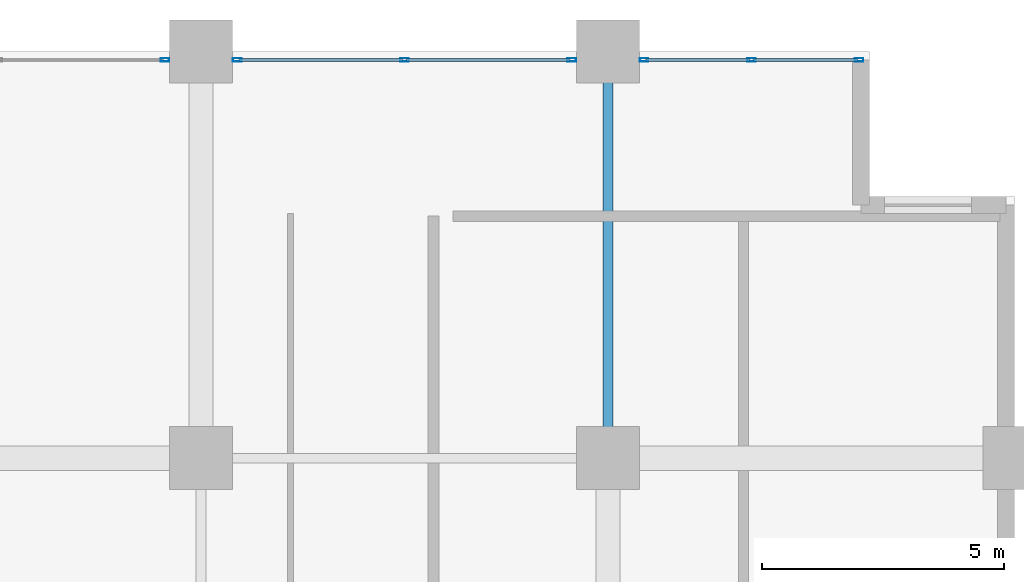
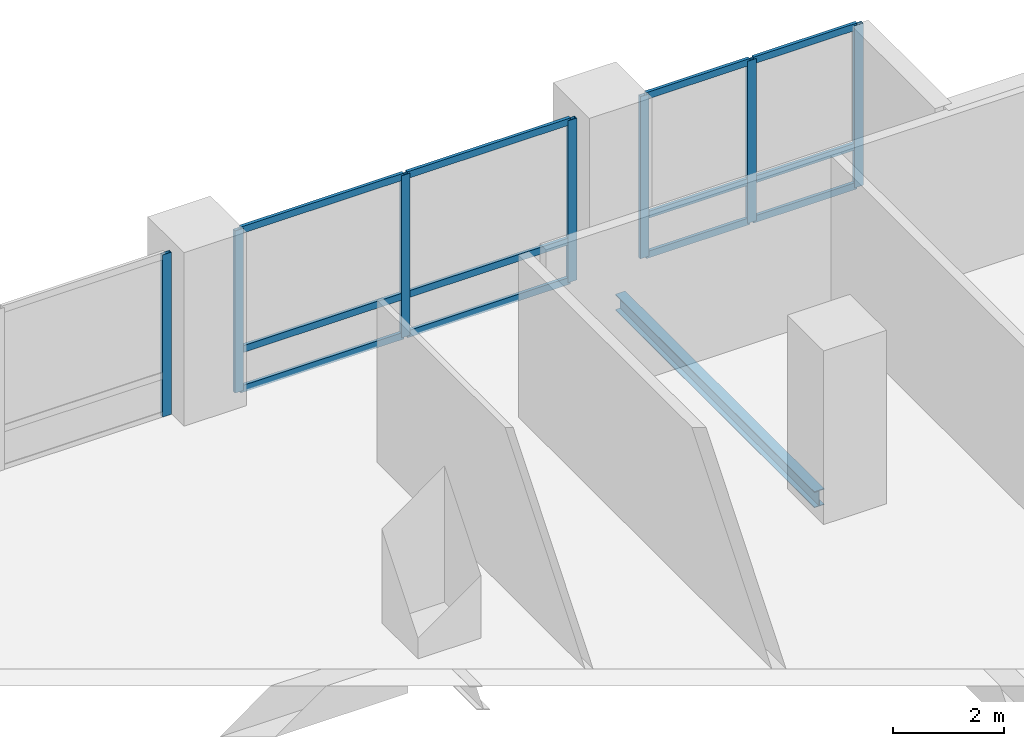
# One storey, part 5 of 22: 19 members, 1 beam, 3 elements without a shape of their own.
"""IFC4 building model written with IfcOpenShell, lengths in metres."""

from ifc_helpers import new_model, si_unit, direction, frame, origin, origin_2d, place, context, subcontext, project, spatial, hollow_rectangle, i_section, extrude, material, layer, layer_set, material_profile, profile_set, type_object, element, aggregate, save


model = new_model("IFC4")

# Units and contexts
model_context = context("Model", 3, precision=1e-05, world=origin(), true_north=direction((0.0, 1.0)))
body_context = subcontext(model_context, "Body", "Model", "MODEL_VIEW")
ifc_project = project(units=[si_unit("LENGTHUNIT", "METRE"), si_unit("AREAUNIT", "SQUARE_METRE"), si_unit("VOLUMEUNIT", "CUBIC_METRE"), si_unit("PLANEANGLEUNIT", "RADIAN"), si_unit("MASSUNIT", "GRAM", prefix="KILO")], contexts=[model_context])

# Site, building, storey
site_placement = place(None, origin())
site = spatial("IfcSite", under=ifc_project, at=site_placement, CompositionType="ELEMENT")
building_placement = place(site_placement, origin())
building = spatial("IfcBuilding", under=site, at=building_placement, Name="Koriwani Terraces Tower", CompositionType="ELEMENT")
storey_placement = place(building_placement, frame((0.0, 0.0, 141.800048828125)))
storey = spatial("IfcBuildingStorey", under=building, at=storey_placement, Name="L34", CompositionType="ELEMENT", Elevation=141.800048828125)

# Curtain wall, member
ifc_material_1 = material(Name="Anodised Bronze Aluminium", Category="aluminium")
ifc_layer = layer(ifc_material_1, 0.179931640625, Name="Anodised Bronze Aluminium")
ifc_layer_set = layer_set([ifc_layer], Name="Anodised Bronze Aluminium")
curtain_wall_type = type_object("IfcCurtainWallType", Name="CW_HOTEL_ZONE2", PredefinedType="NOTDEFINED", material=ifc_layer_set)
curtain_wall_1_placement = place(storey_placement, origin())
curtain_wall_1 = element("IfcCurtainWall", 1, at=curtain_wall_1_placement, inside=storey, type_object=curtain_wall_type, Name="L34 Unitised Curtain Wall (N_TIP) Bay 2", PredefinedType="NOTDEFINED")
ifc_material_profile_1 = material_profile(ifc_material_1, hollow_rectangle(XDim=0.074951171875, YDim=0.179931640625, WallThickness=0.006103515625, at=origin_2d()), Name="Anodised Bronze Aluminium", Category="LoadBearing")
ifc_profile_set_1 = profile_set([ifc_material_profile_1], Name="Anodised Bronze Aluminium")
member_type_1 = type_object("IfcMemberType", Name="CW_MULLION_180X75", PredefinedType="MULLION", material=ifc_profile_set_1)
member_1_placement = place(storey_placement, frame((16.052490234375, 92.22509765625, 0.0), z_axis=(0.0, 0.0, 1.0), x_axis=(0.0, 1.0, 0.0)))
member_1 = element("IfcMember", 2, at=member_1_placement, type_object=member_type_1, Name="CW-Z2 mullion 3", PredefinedType="MULLION", context=body_context, shape_type="SweptSolid", body=[
    extrude(hollow_rectangle(XDim=0.074951171875, YDim=0.179931640625, WallThickness=0.006103515625, at=origin_2d()), origin(), (0.0, 0.0, 1.0), 3.550048828125),
])
aggregate(curtain_wall_1, [member_1])

# Curtain wall, members
curtain_wall_2_placement = place(storey_placement, origin())
curtain_wall_2 = element("IfcCurtainWall", 3, at=curtain_wall_2_placement, inside=storey, type_object=curtain_wall_type, Name="L34 Unitised Curtain Wall (N_TIP) Bay 3", PredefinedType="NOTDEFINED")
member_2_placement = place(storey_placement, frame((17.547607421875, 92.22509765625, 0.0), z_axis=(0.0, 0.0, 1.0), x_axis=(0.0, 1.0, 0.0)))
member_2 = element("IfcMember", 4, at=member_2_placement, type_object=member_type_1, Name="CW-Z2 mullion 1", PredefinedType="MULLION", context=body_context, shape_type="SweptSolid", body=[
    extrude(hollow_rectangle(XDim=0.074951171875, YDim=0.179931640625, WallThickness=0.006103515625, at=origin_2d()), origin(), (0.0, 0.0, 1.0), 3.550048828125),
])
member_3_placement = place(storey_placement, frame((21.0, 92.22509765625, 0.0), z_axis=(0.0, 0.0, 1.0), x_axis=(0.0, 1.0, 0.0)))
member_3 = element("IfcMember", 5, at=member_3_placement, type_object=member_type_1, Name="CW-Z2 mullion 2", PredefinedType="MULLION", context=body_context, shape_type="SweptSolid", body=[
    extrude(hollow_rectangle(XDim=0.074951171875, YDim=0.179931640625, WallThickness=0.006103515625, at=origin_2d()), origin(), (0.0, 0.0, 1.0), 3.550048828125),
])
member_4_placement = place(storey_placement, frame((24.452392578125, 92.22509765625, 0.0), z_axis=(0.0, 0.0, 1.0), x_axis=(0.0, 1.0, 0.0)))
member_4 = element("IfcMember", 6, at=member_4_placement, type_object=member_type_1, Name="CW-Z2 mullion 3", PredefinedType="MULLION", context=body_context, shape_type="SweptSolid", body=[
    extrude(hollow_rectangle(XDim=0.074951171875, YDim=0.179931640625, WallThickness=0.006103515625, at=origin_2d()), origin(), (0.0, 0.0, 1.0), 3.550048828125),
])

curtain_wall_3_placement = place(storey_placement, origin())
curtain_wall_3 = element("IfcCurtainWall", 7, at=curtain_wall_3_placement, inside=storey, type_object=curtain_wall_type, Name="L34 Unitised Curtain Wall (N_TIP) Bay 4", PredefinedType="NOTDEFINED")
member_5_placement = place(storey_placement, frame((25.947509765625, 92.22509765625, 0.0), z_axis=(0.0, 0.0, 1.0), x_axis=(0.0, 1.0, 0.0)))
member_5 = element("IfcMember", 8, at=member_5_placement, type_object=member_type_1, Name="CW-Z2 mullion 1", PredefinedType="MULLION", context=body_context, shape_type="SweptSolid", body=[
    extrude(hollow_rectangle(XDim=0.074951171875, YDim=0.179931640625, WallThickness=0.006103515625, at=origin_2d()), origin(), (0.0, 0.0, 1.0), 3.550048828125),
])
member_6_placement = place(storey_placement, frame((28.16748046875, 92.22509765625, 0.0), z_axis=(0.0, 0.0, 1.0), x_axis=(0.0, 1.0, 0.0)))
member_6 = element("IfcMember", 9, at=member_6_placement, type_object=member_type_1, Name="CW-Z2 mullion 2", PredefinedType="MULLION", context=body_context, shape_type="SweptSolid", body=[
    extrude(hollow_rectangle(XDim=0.074951171875, YDim=0.179931640625, WallThickness=0.006103515625, at=origin_2d()), origin(), (0.0, 0.0, 1.0), 3.550048828125),
])
member_7_placement = place(storey_placement, frame((30.387451171875, 92.22509765625, 0.0), z_axis=(0.0, 0.0, 1.0), x_axis=(0.0, 1.0, 0.0)))
member_7 = element("IfcMember", 10, at=member_7_placement, type_object=member_type_1, Name="CW-Z2 mullion 3", PredefinedType="MULLION", context=body_context, shape_type="SweptSolid", body=[
    extrude(hollow_rectangle(XDim=0.074951171875, YDim=0.179931640625, WallThickness=0.006103515625, at=origin_2d()), origin(), (0.0, 0.0, 1.0), 3.550048828125),
])

# Member
ifc_material_profile_2 = material_profile(ifc_material_1, hollow_rectangle(XDim=0.06494140625, YDim=0.14990234375, WallThickness=0.0048828125, at=origin_2d()), Name="Anodised Bronze Aluminium", Category="LoadBearing")
ifc_profile_set_2 = profile_set([ifc_material_profile_2], Name="Anodised Bronze Aluminium")
member_type_2 = type_object("IfcMemberType", Name="CW_TRANSOM_150X65", PredefinedType="USERDEFINED", material=ifc_profile_set_2)
member_8_placement = place(storey_placement, frame((17.5849609375, 92.22509765625, 0.032470703125), z_axis=(1.0, 0.0, 0.0), x_axis=(0.0, 1.0, 0.0)))
member_8 = element("IfcMember", 11, at=member_8_placement, type_object=member_type_2, Name="CW-Z2 transom 1.1", ObjectType="TRANSOM", PredefinedType="USERDEFINED", context=body_context, shape_type="SweptSolid", body=[
    extrude(hollow_rectangle(XDim=0.06494140625, YDim=0.14990234375, WallThickness=0.0048828125, at=origin_2d()), origin(), (0.0, 0.0, 1.0), 3.37744140625),
])

member_9_placement = place(storey_placement, frame((17.5849609375, 92.22509765625, 0.89990234375), z_axis=(1.0, 0.0, 0.0), x_axis=(0.0, 1.0, 0.0)))
member_9 = element("IfcMember", 12, at=member_9_placement, type_object=member_type_2, Name="CW-Z2 transom 1.2", ObjectType="TRANSOM", PredefinedType="USERDEFINED", context=body_context, shape_type="SweptSolid", body=[
    extrude(hollow_rectangle(XDim=0.06494140625, YDim=0.14990234375, WallThickness=0.0048828125, at=origin_2d()), origin(), (0.0, 0.0, 1.0), 3.37744140625),
])

member_10_placement = place(storey_placement, frame((17.5849609375, 92.22509765625, 3.517333984375), z_axis=(1.0, 0.0, 0.0), x_axis=(0.0, 1.0, 0.0)))
member_10 = element("IfcMember", 13, at=member_10_placement, type_object=member_type_2, Name="CW-Z2 transom 1.3", ObjectType="TRANSOM", PredefinedType="USERDEFINED", context=body_context, shape_type="SweptSolid", body=[
    extrude(hollow_rectangle(XDim=0.06494140625, YDim=0.14990234375, WallThickness=0.0048828125, at=origin_2d()), origin(), (0.0, 0.0, 1.0), 3.37744140625),
])

member_11_placement = place(storey_placement, frame((21.03759765625, 92.22509765625, 0.032470703125), z_axis=(1.0, 0.0, 0.0), x_axis=(0.0, 1.0, 0.0)))
member_11 = element("IfcMember", 14, at=member_11_placement, type_object=member_type_2, Name="CW-Z2 transom 2.1", ObjectType="TRANSOM", PredefinedType="USERDEFINED", context=body_context, shape_type="SweptSolid", body=[
    extrude(hollow_rectangle(XDim=0.06494140625, YDim=0.14990234375, WallThickness=0.0048828125, at=origin_2d()), origin(), (0.0, 0.0, 1.0), 3.37744140625),
])

member_12_placement = place(storey_placement, frame((21.03759765625, 92.22509765625, 0.89990234375), z_axis=(1.0, 0.0, 0.0), x_axis=(0.0, 1.0, 0.0)))
member_12 = element("IfcMember", 15, at=member_12_placement, type_object=member_type_2, Name="CW-Z2 transom 2.2", ObjectType="TRANSOM", PredefinedType="USERDEFINED", context=body_context, shape_type="SweptSolid", body=[
    extrude(hollow_rectangle(XDim=0.06494140625, YDim=0.14990234375, WallThickness=0.0048828125, at=origin_2d()), origin(), (0.0, 0.0, 1.0), 3.37744140625),
])

member_13_placement = place(storey_placement, frame((21.03759765625, 92.22509765625, 3.517333984375), z_axis=(1.0, 0.0, 0.0), x_axis=(0.0, 1.0, 0.0)))
member_13 = element("IfcMember", 16, at=member_13_placement, type_object=member_type_2, Name="CW-Z2 transom 2.3", ObjectType="TRANSOM", PredefinedType="USERDEFINED", context=body_context, shape_type="SweptSolid", body=[
    extrude(hollow_rectangle(XDim=0.06494140625, YDim=0.14990234375, WallThickness=0.0048828125, at=origin_2d()), origin(), (0.0, 0.0, 1.0), 3.37744140625),
])

aggregate(curtain_wall_2, [member_2, member_3, member_4, member_8, member_9, member_10, member_11, member_12, member_13])

member_14_placement = place(storey_placement, frame((25.985107421875, 92.22509765625, 0.032470703125), z_axis=(1.0, 0.0, 0.0), x_axis=(0.0, 1.0, 0.0)))
member_14 = element("IfcMember", 17, at=member_14_placement, type_object=member_type_2, Name="CW-Z2 transom 1.1", ObjectType="TRANSOM", PredefinedType="USERDEFINED", context=body_context, shape_type="SweptSolid", body=[
    extrude(hollow_rectangle(XDim=0.06494140625, YDim=0.14990234375, WallThickness=0.0048828125, at=origin_2d()), origin(), (0.0, 0.0, 1.0), 2.144775390625),
])

member_15_placement = place(storey_placement, frame((25.985107421875, 92.22509765625, 0.89990234375), z_axis=(1.0, 0.0, 0.0), x_axis=(0.0, 1.0, 0.0)))
member_15 = element("IfcMember", 18, at=member_15_placement, type_object=member_type_2, Name="CW-Z2 transom 1.2", ObjectType="TRANSOM", PredefinedType="USERDEFINED", context=body_context, shape_type="SweptSolid", body=[
    extrude(hollow_rectangle(XDim=0.06494140625, YDim=0.14990234375, WallThickness=0.0048828125, at=origin_2d()), origin(), (0.0, 0.0, 1.0), 2.144775390625),
])

member_16_placement = place(storey_placement, frame((25.985107421875, 92.22509765625, 3.517333984375), z_axis=(1.0, 0.0, 0.0), x_axis=(0.0, 1.0, 0.0)))
member_16 = element("IfcMember", 19, at=member_16_placement, type_object=member_type_2, Name="CW-Z2 transom 1.3", ObjectType="TRANSOM", PredefinedType="USERDEFINED", context=body_context, shape_type="SweptSolid", body=[
    extrude(hollow_rectangle(XDim=0.06494140625, YDim=0.14990234375, WallThickness=0.0048828125, at=origin_2d()), origin(), (0.0, 0.0, 1.0), 2.144775390625),
])

member_17_placement = place(storey_placement, frame((28.205078125, 92.22509765625, 0.032470703125), z_axis=(1.0, 0.0, 0.0), x_axis=(0.0, 1.0, 0.0)))
member_17 = element("IfcMember", 20, at=member_17_placement, type_object=member_type_2, Name="CW-Z2 transom 2.1", ObjectType="TRANSOM", PredefinedType="USERDEFINED", context=body_context, shape_type="SweptSolid", body=[
    extrude(hollow_rectangle(XDim=0.06494140625, YDim=0.14990234375, WallThickness=0.0048828125, at=origin_2d()), origin(), (0.0, 0.0, 1.0), 2.14501953125),
])

member_18_placement = place(storey_placement, frame((28.205078125, 92.22509765625, 0.89990234375), z_axis=(1.0, 0.0, 0.0), x_axis=(0.0, 1.0, 0.0)))
member_18 = element("IfcMember", 21, at=member_18_placement, type_object=member_type_2, Name="CW-Z2 transom 2.2", ObjectType="TRANSOM", PredefinedType="USERDEFINED", context=body_context, shape_type="SweptSolid", body=[
    extrude(hollow_rectangle(XDim=0.06494140625, YDim=0.14990234375, WallThickness=0.0048828125, at=origin_2d()), origin(), (0.0, 0.0, 1.0), 2.14501953125),
])

member_19_placement = place(storey_placement, frame((28.205078125, 92.22509765625, 3.517333984375), z_axis=(1.0, 0.0, 0.0), x_axis=(0.0, 1.0, 0.0)))
member_19 = element("IfcMember", 22, at=member_19_placement, type_object=member_type_2, Name="CW-Z2 transom 2.3", ObjectType="TRANSOM", PredefinedType="USERDEFINED", context=body_context, shape_type="SweptSolid", body=[
    extrude(hollow_rectangle(XDim=0.06494140625, YDim=0.14990234375, WallThickness=0.0048828125, at=origin_2d()), origin(), (0.0, 0.0, 1.0), 2.14501953125),
])

aggregate(curtain_wall_3, [member_5, member_6, member_7, member_14, member_15, member_16, member_17, member_18, member_19])

# Beam
ifc_material_2 = material(Name="Steel ASTM A572 Grade 50", Category="steel")
ifc_material_profile_3 = material_profile(ifc_material_2, i_section(OverallWidth=0.205078125, OverallDepth=0.35400390625, WebThickness=0.009521484375, FlangeThickness=0.016845703125, at=origin_2d()), Name="Steel ASTM A572 Grade 50", Category="LoadBearing")
ifc_profile_set_3 = profile_set([ifc_material_profile_3], Name="Steel ASTM A572 Grade 50")
beam_type = type_object("IfcBeamType", Name="STEEL_BEAM_W360X79", PredefinedType="JOIST", material=ifc_profile_set_3)
beam_placement = place(storey_placement, frame((25.199951171875, 84.6298828125, -0.427001953125), z_axis=(0.0, 1.0, 0.0), x_axis=(-1.0, 0.0, 0.0)))
element("IfcBeam", 23, at=beam_placement, inside=storey, type_object=beam_type, Name="L34 Grid Beam 4 (84.0-92.4m)", PredefinedType="JOIST", context=body_context, shape_type="SweptSolid", body=[
    extrude(i_section(OverallWidth=0.205078125, OverallDepth=0.35400390625, WebThickness=0.009521484375, FlangeThickness=0.016845703125, at=origin_2d()), origin(), (0.0, 0.0, 1.0), 7.14013671875),
])

save(model, "model.ifc")
